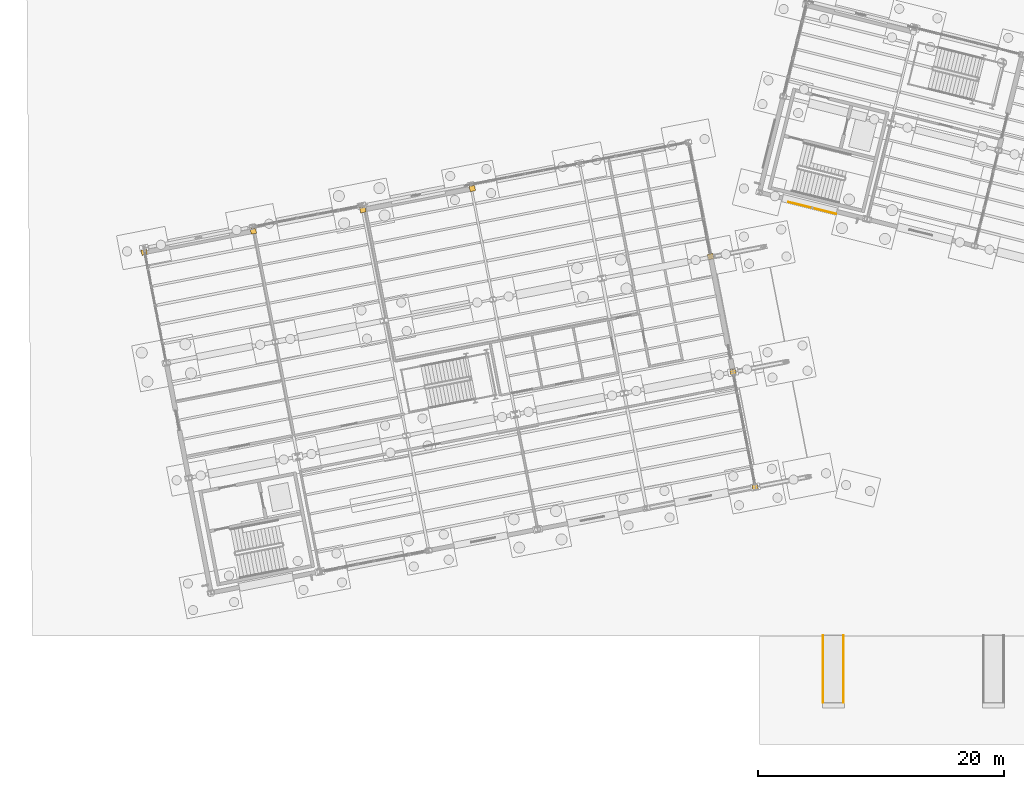
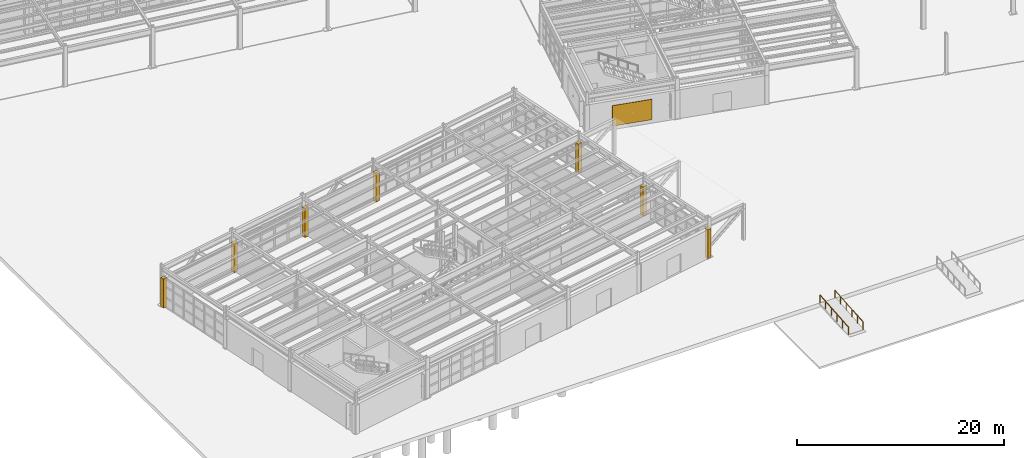
# One storey, part 99 of 108: 8 coverings, 2 railings.
"""IFC4 building model written with IfcOpenShell, lengths in metres."""

from ifc_helpers import new_model, si_unit, direction, frame, origin, origin_2d, place, context, subcontext, project, spatial, rectangle, circle, extrude, material, layer, layer_set, type_object, element, save


model = new_model("IFC4")

# Units and contexts
model_context = context("Model", 3, precision=1e-05, world=origin(), true_north=direction((0.0, 1.0)))
body_context = subcontext(model_context, "Body", "Model", "MODEL_VIEW")
ifc_project = project(units=[si_unit("LENGTHUNIT", "METRE"), si_unit("AREAUNIT", "SQUARE_METRE"), si_unit("VOLUMEUNIT", "CUBIC_METRE"), si_unit("PLANEANGLEUNIT", "RADIAN"), si_unit("MASSUNIT", "GRAM", prefix="KILO")], contexts=[model_context])

# Site, building, storey
site_placement = place(None, origin())
site = spatial("IfcSite", under=ifc_project, at=site_placement, CompositionType="ELEMENT")
building_placement = place(site_placement, origin())
building = spatial("IfcBuilding", under=site, at=building_placement, Name="Vireo Bluff Cable Station", CompositionType="ELEMENT")
storey_placement = place(building_placement, origin())
storey = spatial("IfcBuildingStorey", under=building, at=storey_placement, Name="L00", CompositionType="ELEMENT", Elevation=0.0)

# Coverings
ifc_material_1 = material(Name="Standing-Seam Titanium-Zinc Cladding")
ifc_layer_1 = layer(ifc_material_1, 0.050048828125, Name="Standing-Seam Titanium-Zinc Cladding")
ifc_layer_set_1 = layer_set([ifc_layer_1], Name="Standing-Seam Titanium-Zinc Cladding")
covering_type_1 = type_object("IfcCoveringType", Name="CLADDING-ZINC-50", PredefinedType="CLADDING", material=ifc_layer_set_1)
covering_placement = place(storey_placement, frame((58.282470703125, 36.72607421875, 0.449951171875), z_axis=(0.0, 0.0, 1.0), x_axis=(-0.970295730384, 0.241921879122, 0.0)))
element("IfcCovering", 1, at=covering_placement, inside=storey, type_object=covering_type_1, Name="V1 L00 ribbed zinc cladding panel 1", PredefinedType="CLADDING", context=body_context, shape_type="SweptSolid", body=[
    extrude(rectangle(XDim=4.0, YDim=0.050048828125, at=origin_2d()), origin(), (0.0, 0.0, 1.0), 2.39990234375),
])
ifc_material_2 = material(Name="Precast concrete f'c 45 MPa", Category="concrete")
ifc_layer_2 = layer(ifc_material_2, 0.0400390625, Name="Precast concrete f'c 45 MPa")
ifc_layer_set_2 = layer_set([ifc_layer_2], Name="Precast concrete f'c 45 MPa")
covering_type_2 = type_object("IfcCoveringType", Name="COL-CLOSURE-WRAP", PredefinedType="CLADDING", material=ifc_layer_set_2)
for number, where, z_axis, x_axis, name in (
    (2, (53.648681640625, 14.08154296875, 0.0), (0.0, 0.0, 1.0), (0.981627183448, 0.190808995377, 0.0), "V5 L00 column pocket closure"),
    (3, (4.07666015625, 33.1328125, 0.0), (0.0, 0.0, 1.0), (0.981627183448, 0.190808995377, 0.0), "V5 L00 column pocket closure"),
    (4, (12.93701171875, 34.855224609375, 0.0), (0.0, 0.0, 1.0), (0.981627183448, 0.190808995377, 0.0), "V5 L00 column pocket closure"),
    (5, (21.818115234375, 36.58154296875, 0.0), (0.0, 0.0, 1.0), (0.981627183448, 0.190808995377, 0.0), "V5 L00 column pocket closure"),
    (6, (30.705322265625, 38.30908203125, 0.0), (0.0, 0.0, 1.0), (0.981627183448, 0.190808995377, 0.0), "V5 L00 column pocket closure"),
    (7, (50.038330078125, 32.785888671875, 0.0), (0.0, 0.0, 1.0), (0.981627183448, 0.190808995377, 0.0), "V5 L00 column pocket closure"),
    (8, (51.8564453125, 23.432861328125, 0.0), (0.0, 0.0, 1.0), (0.981627183448, 0.190808995377, 0.0), "V5 L00 column pocket closure"),
):
    element("IfcCovering", number, at=place(storey_placement, frame(where, z_axis=z_axis, x_axis=x_axis)), inside=storey, type_object=covering_type_2, Name=name, PredefinedType="CLADDING", context=body_context, shape_type="SweptSolid", body=[
        extrude(rectangle(XDim=0.43994140625, YDim=0.43994140625, at=origin_2d()), origin(), (0.0, 0.0, 1.0), 3.39990234375),
    ])

# Railings
ifc_material_3 = material(Name="Stainless Steel 316", Category="steel")
railing_type = type_object("IfcRailingType", Name="EXT-HANDRAIL-900", PredefinedType="HANDRAIL", material=ifc_material_3)
for number, where, name in (
    (9, (60.827880859375, -3.39990234375, -0.449951171875), "RMP-01 ramp handrail L"),
    (10, (59.172119140625, -3.39990234375, -0.449951171875), "RMP-01 ramp handrail R"),
):
    element("IfcRailing", number, at=place(storey_placement, frame(where)), inside=storey, type_object=railing_type, Name=name, PredefinedType="HANDRAIL", context=body_context, shape_type="SweptSolid", body=[
        extrude(circle(Radius=0.02392578125, at=origin_2d()), frame((0.0, 0.0, 0.8759765625), z_axis=(0.0, 0.996609199274, 0.082280641234), x_axis=(-1.0, 0.0, 0.0)), (0.0, 0.0, 1.0), 5.468505859375),
        extrude(circle(Radius=0.02099609375, at=origin_2d()), origin(), (0.0, 0.0, 1.0), 0.851806640625),
        extrude(circle(Radius=0.02099609375, at=origin_2d()), frame((0.0, 1.090087890625, 0.090087890625)), (0.0, 0.0, 1.0), 0.851806640625),
        extrude(circle(Radius=0.02099609375, at=origin_2d()), frame((0.0, 2.179931640625, 0.179931640625)), (0.0, 0.0, 1.0), 0.851806640625),
        extrude(circle(Radius=0.02099609375, at=origin_2d()), frame((0.0, 3.27001953125, 0.27001953125)), (0.0, 0.0, 1.0), 0.851806640625),
        extrude(circle(Radius=0.02099609375, at=origin_2d()), frame((0.0, 4.35986328125, 0.35986328125)), (0.0, 0.0, 1.0), 0.851806640625),
        extrude(circle(Radius=0.02099609375, at=origin_2d()), frame((0.0, 5.449951171875, 0.449951171875)), (0.0, 0.0, 1.0), 0.851806640625),
    ])

save(model, "model.ifc")
